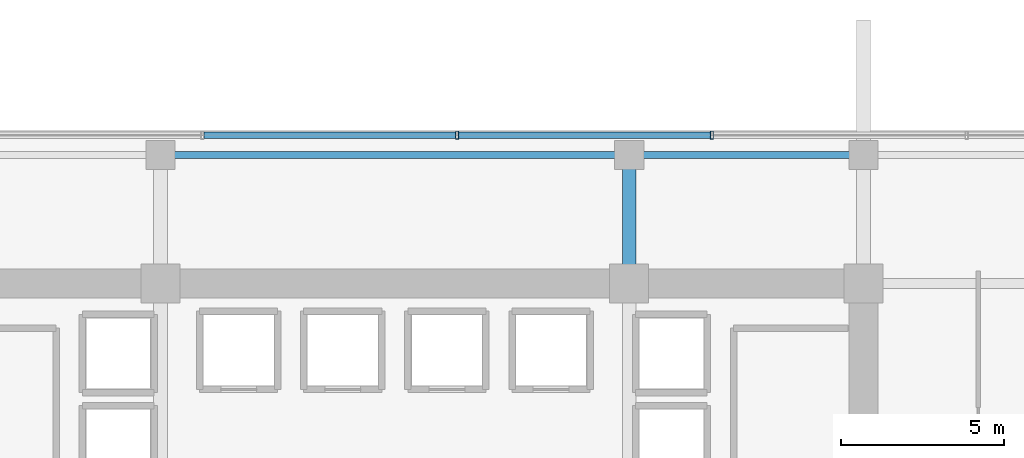
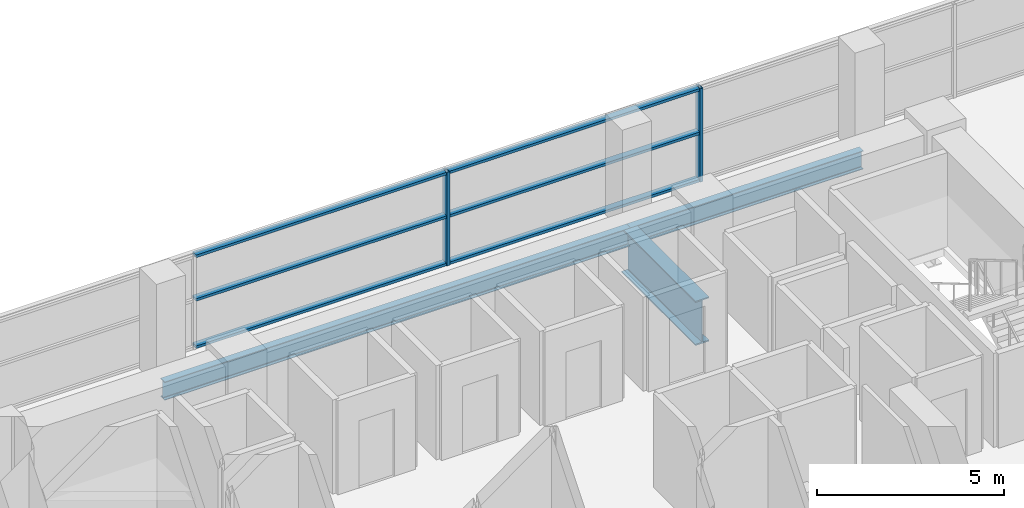
# One storey, part 19 of 32: 8 members, 3 beams, 1 element without a shape of its own.
"""IFC4 building model written with IfcOpenShell, lengths in metres."""

import ifcopenshell
import ifcopenshell.guid

model = None  # the IFC model being written
_history = None  # IfcOwnerHistory: only IFC2X3 demands one
_inside = {}  # id of a spatial element -> (the spatial element, [elements in it])
_under = {}  # id of a project, library or spatial element -> (it, [spatial elements below it])
_declared = {}  # id of a project -> (the project, [libraries it declares])
_typed = {}  # id of a type object -> (the type object, [elements of that type])
_made_of = {}  # id of a material, layer set ... -> (it, [elements and type objects made of it])


def new_model(schema):
    """Start an empty IFC model of exactly this schema.

    Asked for "IFC4X3", IfcOpenShell would pick the latest addendum, in which some entities
    have other attributes; the version numbers below select the first issue.
    IFC2X3 requires an IfcOwnerHistory on every rooted entity: one is made here for all.
    """
    global model, _history
    if schema == "IFC4X3":
        model = ifcopenshell.file(schema_version=(4, 3, 0, 0))
    else:
        model = ifcopenshell.file(schema=schema)
    _inside.clear()
    _under.clear()
    _declared.clear()
    _typed.clear()
    _made_of.clear()
    _history = None
    if model.schema == "IFC2X3":
        org = make("IfcOrganization", Name="unknown")
        user = make(
            "IfcPersonAndOrganization",
            ThePerson=make("IfcPerson", FamilyName="unknown"),
            TheOrganization=org,
        )
        app = make(
            "IfcApplication",
            ApplicationDeveloper=org,
            Version="unknown",
            ApplicationFullName="unknown",
            ApplicationIdentifier="unknown",
        )
        _history = make(
            "IfcOwnerHistory",
            OwningUser=user,
            OwningApplication=app,
            ChangeAction="ADDED",
            CreationDate=0,
        )
    return model


def make(cls, **values):
    """One entity of the class cls with the attributes given. An attribute that is None is left unset."""
    return model.create_entity(
        cls, **{name: value for name, value in values.items() if value is not None}
    )


def rooted(cls, **values):
    """An entity with a GlobalId (a new one), such as an element, a storey or a relation."""
    return make(cls, GlobalId=ifcopenshell.guid.new(), OwnerHistory=_history, **values)


def si_unit(unit_type, name, prefix=None):
    """IfcSIUnit, for example si_unit("LENGTHUNIT", "METRE", prefix="MILLI")."""
    return make("IfcSIUnit", UnitType=unit_type, Prefix=prefix, Name=name)


def assignment(units):
    """IfcUnitAssignment: the units of a project."""
    return None if units is None else make("IfcUnitAssignment", Units=units)


def point(xyz):
    """IfcCartesianPoint."""
    return None if xyz is None else make("IfcCartesianPoint", Coordinates=xyz)


def direction(xyz):
    """IfcDirection."""
    return None if xyz is None else make("IfcDirection", DirectionRatios=xyz)


def frame(location, z_axis=None, x_axis=None):
    """IfcAxis2Placement3D, a coordinate frame: its origin and axes. An axis left out is left unset."""
    return make(
        "IfcAxis2Placement3D",
        Location=point(location),
        Axis=direction(z_axis),
        RefDirection=direction(x_axis),
    )


def frame_2d(location, x_axis=None):
    """IfcAxis2Placement2D, a coordinate frame in the plane: its origin and x axis."""
    return make(
        "IfcAxis2Placement2D", Location=point(location), RefDirection=direction(x_axis)
    )


def origin():
    """The frame at (0, 0, 0) with its axes left unset."""
    return frame((0.0, 0.0, 0.0))


def origin_2d():
    """The frame at (0, 0) in the plane with its x axis left unset."""
    return frame_2d((0.0, 0.0))


def place(relative_to, where):
    """IfcLocalPlacement: puts the frame where relative to a parent placement (None: the world)."""
    return make(
        "IfcLocalPlacement", PlacementRelTo=relative_to, RelativePlacement=where
    )


def context(
    kind, dimensions, precision=None, world=None, true_north=None, identifier=None
):
    """IfcGeometricRepresentationContext, for example the 3D "Model" context."""
    return make(
        "IfcGeometricRepresentationContext",
        ContextIdentifier=identifier,
        ContextType=kind,
        CoordinateSpaceDimension=dimensions,
        Precision=precision,
        WorldCoordinateSystem=world,
        TrueNorth=true_north,
    )


def subcontext(parent, identifier, kind, view, scale=None):
    """IfcGeometricRepresentationSubContext, for example "Body" below "Model"."""
    return make(
        "IfcGeometricRepresentationSubContext",
        ContextIdentifier=identifier,
        ContextType=kind,
        ParentContext=parent,
        TargetScale=scale,
        TargetView=view,
    )


def project(units=None, contexts=None):
    """IfcProject with its units and contexts."""
    return rooted(
        "IfcProject",
        Name="project",
        RepresentationContexts=contexts,
        UnitsInContext=assignment(units),
    )


def spatial(cls, under=None, at=None, **own):
    """A site, building, storey or space (cls), placed at a placement, below another one or the project."""
    s = rooted(cls, ObjectPlacement=at, **own)
    if under is not None:
        _under.setdefault(under.id(), (under, []))[1].append(s)
    return s


def profile(cls, at=None, kind="AREA", **sizes):
    """A parametric profile (cls). Its sizes go by their IFC names, for example OverallWidth=200.0."""
    return make(cls, ProfileType=kind, Position=at, **sizes)


def hollow_rectangle(**sizes):
    """IfcRectangleHollowProfileDef."""
    return profile("IfcRectangleHollowProfileDef", **sizes)


def i_section(**sizes):
    """IfcIShapeProfileDef."""
    return profile("IfcIShapeProfileDef", **sizes)


def extrude(swept, where, along, depth):
    """IfcExtrudedAreaSolid: the profile swept, set in the frame where, extruded along a direction by depth."""
    return make(
        "IfcExtrudedAreaSolid",
        SweptArea=swept,
        Position=where,
        ExtrudedDirection=direction(along),
        Depth=depth,
    )


def shape(context_of_items, identifier, shape_type, items):
    """IfcShapeRepresentation: the items that make up one representation, for example the "Body"."""
    return make(
        "IfcShapeRepresentation",
        ContextOfItems=context_of_items,
        RepresentationIdentifier=identifier,
        RepresentationType=shape_type,
        Items=items,
    )


def source(mapping_origin, context_of_items, identifier, shape_type, items):
    """IfcRepresentationMap: a shape defined once, which mapped items show again and again."""
    return make(
        "IfcRepresentationMap",
        MappingOrigin=mapping_origin,
        MappedRepresentation=shape(context_of_items, identifier, shape_type, items),
    )


def transform(
    local_origin,
    x_axis=None,
    y_axis=None,
    z_axis=None,
    scale=None,
    scale2=None,
    scale3=None,
    uniform=True,
):
    """IfcCartesianTransformationOperator3D, or its non-uniform kind. x_axis, y_axis, z_axis: its Axis1, 2, 3."""
    if uniform:
        return make(
            "IfcCartesianTransformationOperator3D",
            Axis1=direction(x_axis),
            Axis2=direction(y_axis),
            LocalOrigin=point(local_origin),
            Scale=scale,
            Axis3=direction(z_axis),
        )
    return make(
        "IfcCartesianTransformationOperator3DnonUniform",
        Axis1=direction(x_axis),
        Axis2=direction(y_axis),
        LocalOrigin=point(local_origin),
        Scale=scale,
        Axis3=direction(z_axis),
        Scale2=scale2,
        Scale3=scale3,
    )


def mapped(mapping_source, mapping_target):
    """IfcMappedItem: shows the shape of a source again, moved by a transform."""
    return make(
        "IfcMappedItem", MappingSource=mapping_source, MappingTarget=mapping_target
    )


def material(Name=None, Category=None):
    """IfcMaterial."""
    return make("IfcMaterial", Name=Name, Category=Category)


def layer(
    of_material, thickness, ventilated=None, Name=None, Category=None, Priority=None
):
    """IfcMaterialLayer: one layer of a wall or slab, of a material (None: an air gap)."""
    return make(
        "IfcMaterialLayer",
        Material=of_material,
        LayerThickness=thickness,
        IsVentilated=ventilated,
        Name=Name,
        Category=Category,
        Priority=Priority,
    )


def layer_set(layers, Name=None):
    """IfcMaterialLayerSet."""
    return make("IfcMaterialLayerSet", MaterialLayers=layers, LayerSetName=Name)


def material_profile(
    of_material, cross_section, Name=None, Category=None, Priority=None
):
    """IfcMaterialProfile: a cross section and its material."""
    return make(
        "IfcMaterialProfile",
        Name=Name,
        Material=of_material,
        Profile=cross_section,
        Priority=Priority,
        Category=Category,
    )


def profile_set(profiles, Name=None, composite=None):
    """IfcMaterialProfileSet."""
    return make(
        "IfcMaterialProfileSet",
        Name=Name,
        MaterialProfiles=profiles,
        CompositeProfile=composite,
    )


def made_of(thing, what):
    """Note that an element or type object is made of a material, layer set ...; save() writes the relation."""
    if what is not None:
        _made_of.setdefault(what.id(), (what, []))[1].append(thing)
    return thing


def type_object(cls, material=None, **own):
    """A type object (cls), such as IfcWallType, which elements share."""
    return made_of(rooted(cls, **own), material)


def element(
    cls,
    number,
    at=None,
    inside=None,
    cuts=None,
    type_object=None,
    material=None,
    context=None,
    identifier="Body",
    shape_type=None,
    held_by="IfcProductDefinitionShape",
    body=None,
    shapes=None,
    **own,
):
    """One element of the class cls, such as IfcWall. Its Tag is "e" and its number.

    at: its placement. inside: the storey or other place that contains it. cuts: it is an
    opening in that element (IfcRelVoidsElement). A single representation is given by context,
    identifier, shape_type and body (its items); several are given by shapes. held_by: the class
    of the entity that holds the representations. save() writes the other relations.
    """
    e = rooted(cls, Tag="e%d" % number, ObjectPlacement=at, **own)
    if body is not None:
        shapes = [shape(context, identifier, shape_type, body)]
    if shapes is not None:
        e.Representation = make(held_by, Representations=shapes)
    if inside is not None:
        _inside.setdefault(inside.id(), (inside, []))[1].append(e)
    if cuts is not None:
        rooted(
            "IfcRelVoidsElement", RelatingBuildingElement=cuts, RelatedOpeningElement=e
        )
    if type_object is not None:
        _typed.setdefault(type_object.id(), (type_object, []))[1].append(e)
    return made_of(e, material)


def aggregate(whole, parts):
    """IfcRelAggregates: a whole, such as a stair, and the parts it consists of."""
    return rooted("IfcRelAggregates", RelatingObject=whole, RelatedObjects=parts)


def save(model, path):
    """Write the relations noted so far, then the file.

    IfcRelAggregates (storeys below a building ...), IfcRelContainedInSpatialStructure (elements
    in a storey), IfcRelDefinesByType, IfcRelAssociatesMaterial and IfcRelDeclares: one each for
    every whole, place, type object, material and project.
    """
    for whole, parts in _under.values():
        aggregate(whole, parts)
    for where, things in _inside.values():
        rooted(
            "IfcRelContainedInSpatialStructure",
            RelatedElements=things,
            RelatingStructure=where,
        )
    for kind, things in _typed.values():
        rooted("IfcRelDefinesByType", RelatedObjects=things, RelatingType=kind)
    for what, things in _made_of.values():
        rooted("IfcRelAssociatesMaterial", RelatedObjects=things, RelatingMaterial=what)
    for by, libraries in _declared.values():
        rooted("IfcRelDeclares", RelatingContext=by, RelatedDefinitions=libraries)
    model.write(path)


model = new_model("IFC4")

# Units and contexts
model_context = context("Model", 3, precision=1e-05, world=origin(), true_north=direction((0.0, 1.0)))
body_context = subcontext(model_context, "Body", "Model", "MODEL_VIEW")
ifc_project = project(units=[si_unit("LENGTHUNIT", "METRE"), si_unit("AREAUNIT", "SQUARE_METRE"), si_unit("VOLUMEUNIT", "CUBIC_METRE"), si_unit("PLANEANGLEUNIT", "RADIAN"), si_unit("MASSUNIT", "GRAM", prefix="KILO")], contexts=[model_context])

# Site, building, storey
site_placement = place(None, origin())
site = spatial("IfcSite", under=ifc_project, at=site_placement, CompositionType="ELEMENT")
building_placement = place(site_placement, origin())
building = spatial("IfcBuilding", under=site, at=building_placement, Name="Zarnakvel Exchange Tower", CompositionType="ELEMENT")
storey_placement = place(building_placement, frame((0.0, 0.0, 27.39990234375)))
storey = spatial("IfcBuildingStorey", under=building, at=storey_placement, Name="L06", CompositionType="ELEMENT", Elevation=27.39990234375)

# Beams
ifc_material_1 = material(Name="Steel S355", Category="steel")
ifc_material_profile_1 = material_profile(ifc_material_1, i_section(OverallWidth=0.219970703125, OverallDepth=0.60009765625, WebThickness=0.011962890625, FlangeThickness=0.01904296875, FilletRadius=0.02392578125, at=origin_2d()))
ifc_profile_set_1 = profile_set([ifc_material_profile_1], Name="Steel S355")
beam_type_1 = type_object("IfcBeamType", Name="SP-01", PredefinedType="SPANDREL", material=ifc_profile_set_1)
beam_1_placement = place(storey_placement, frame((-7.199951171875, 17.449951171875, -0.5498046875), z_axis=(1.0, 0.0, 0.0), x_axis=(0.0, 1.0, 0.0)))
element("IfcBeam", 1, at=beam_1_placement, inside=storey, type_object=beam_type_1, Name="L06 Tower E-W Frame Beam", PredefinedType="SPANDREL", context=body_context, shape_type="SweptSolid", body=[
    extrude(i_section(OverallWidth=0.219970703125, OverallDepth=0.60009765625, WebThickness=0.011962890625, FlangeThickness=0.01904296875, FilletRadius=0.02392578125, at=origin_2d()), origin(), (0.0, 0.0, 1.0), 14.39990234375),
])
beam_2_placement = place(storey_placement, frame((7.199951171875, 17.449951171875, -0.5498046875), z_axis=(1.0, 0.0, 0.0), x_axis=(0.0, 1.0, 0.0)))
element("IfcBeam", 2, at=beam_2_placement, inside=storey, type_object=beam_type_1, Name="L06 Tower E-W Frame Beam", PredefinedType="SPANDREL", context=body_context, shape_type="SweptSolid", body=[
    extrude(i_section(OverallWidth=0.219970703125, OverallDepth=0.60009765625, WebThickness=0.011962890625, FlangeThickness=0.01904296875, FilletRadius=0.02392578125, at=origin_2d()), origin(), (0.0, 0.0, 1.0), 7.199951171875),
])
ifc_material_2 = material(Name="Steel S460", Category="steel")
ifc_material_profile_2 = material_profile(ifc_material_2, i_section(OverallWidth=0.419921875, OverallDepth=1.449951171875, WebThickness=0.02392578125, FlangeThickness=0.0400390625, FilletRadius=0.030029296875, at=origin_2d()))
ifc_profile_set_2 = profile_set([ifc_material_profile_2], Name="Steel S460")
beam_type_2 = type_object("IfcBeamType", Name="TG-01", PredefinedType="BEAM", material=ifc_profile_set_2)
beam_3_placement = place(storey_placement, frame((7.199951171875, 13.5, -0.974853515625), z_axis=(0.0, 1.0, 0.0), x_axis=(-1.0, 0.0, 0.0)))
element("IfcBeam", 3, at=beam_3_placement, inside=storey, type_object=beam_type_2, Name="L06 North Cantilever Transfer TN-8", PredefinedType="BEAM", context=body_context, shape_type="SweptSolid", body=[
    extrude(i_section(OverallWidth=0.419921875, OverallDepth=1.449951171875, WebThickness=0.02392578125, FlangeThickness=0.0400390625, FilletRadius=0.030029296875, at=origin_2d()), origin(), (0.0, 0.0, 1.0), 3.949951171875),
])

# Curtain wall, members
ifc_material_3 = material(Name="Architectural Bronze Anodised Aluminium", Category="aluminium")
ifc_layer = layer(ifc_material_3, 0.239990234375)
ifc_layer_set = layer_set([ifc_layer], Name="Architectural Bronze Anodised Aluminium")
curtain_wall_type = type_object("IfcCurtainWallType", Name="CW-02", PredefinedType="NOTDEFINED", material=ifc_layer_set)
curtain_wall_placement = place(storey_placement, origin())
curtain_wall = element("IfcCurtainWall", 4, at=curtain_wall_placement, inside=storey, type_object=curtain_wall_type, Name="L06 Curtain Wall CW-L06-N1 (CW-02)", PredefinedType="NOTDEFINED")
ifc_material_profile_3 = material_profile(ifc_material_3, hollow_rectangle(XDim=0.239990234375, YDim=0.090087890625, WallThickness=0.006103515625, at=origin_2d()))
ifc_profile_set_3 = profile_set([ifc_material_profile_3], Name="Architectural Bronze Anodised Aluminium")
member_type_1 = type_object("IfcMemberType", Name="CWM-02", PredefinedType="MULLION", material=ifc_profile_set_3)
shared_shape_1 = source(origin(), body_context, "Body", "SweptSolid", [
    extrude(hollow_rectangle(XDim=0.239990234375, YDim=0.090087890625, WallThickness=0.006103515625, at=origin_2d()), origin(), (0.0, 0.0, 1.0), 3.05517578125),
])
member_1_placement = place(storey_placement, frame((1.914306640625, 18.06005859375, 0.0), z_axis=(0.0, 0.0, 1.0), x_axis=(0.0, 1.0, 0.0)))
member_1 = element("IfcMember", 5, at=member_1_placement, type_object=member_type_1, Name="CW-02 mullion 5", PredefinedType="MULLION", context=body_context, shape_type="MappedRepresentation", body=[
    mapped(shared_shape_1, transform((0.0, 0.0, 0.0), x_axis=(1.0, 0.0, 0.0), y_axis=(0.0, 1.0, 0.0), z_axis=(0.0, 0.0, 1.0), scale=1.0)),
])
member_2_placement = place(storey_placement, frame((9.742919921875, 18.06005859375, 0.0), z_axis=(0.0, 0.0, 1.0), x_axis=(0.0, 1.0, 0.0)))
member_2 = element("IfcMember", 6, at=member_2_placement, type_object=member_type_1, Name="CW-02 mullion 6", PredefinedType="MULLION", context=body_context, shape_type="MappedRepresentation", body=[
    mapped(shared_shape_1, transform((0.0, 0.0, 0.0), x_axis=(1.0, 0.0, 0.0), y_axis=(0.0, 1.0, 0.0), z_axis=(0.0, 0.0, 1.0), scale=1.0)),
])
ifc_material_profile_4 = material_profile(ifc_material_3, hollow_rectangle(XDim=0.199951171875, YDim=0.0849609375, WallThickness=0.0048828125, at=origin_2d()))
ifc_profile_set_4 = profile_set([ifc_material_profile_4], Name="Architectural Bronze Anodised Aluminium")
member_type_2 = type_object("IfcMemberType", Name="CWT-02", PredefinedType="USERDEFINED", material=ifc_profile_set_4)
shared_shape_2 = source(origin(), body_context, "Body", "SweptSolid", [
    extrude(hollow_rectangle(XDim=0.199951171875, YDim=0.0849609375, WallThickness=0.0048828125, at=origin_2d()), origin(), (0.0, 0.0, 1.0), 7.738525390625),
])
member_3_placement = place(storey_placement, frame((1.959228515625, 18.06005859375, 0.04248046875), z_axis=(1.0, 0.0, 0.0), x_axis=(0.0, 1.0, 0.0)))
member_3 = element("IfcMember", 7, at=member_3_placement, type_object=member_type_2, Name="CW-02 transom 5.1", ObjectType="TRANSOM", PredefinedType="USERDEFINED", context=body_context, shape_type="MappedRepresentation", body=[
    mapped(shared_shape_2, transform((0.0, 0.0, 0.0), x_axis=(1.0, 0.0, 0.0), y_axis=(0.0, 1.0, 0.0), z_axis=(0.0, 0.0, 1.0), scale=1.0)),
])
member_4_placement = place(storey_placement, frame((1.959228515625, 18.06005859375, 1.588623046875), z_axis=(1.0, 0.0, 0.0), x_axis=(0.0, 1.0, 0.0)))
member_4 = element("IfcMember", 8, at=member_4_placement, type_object=member_type_2, Name="CW-02 transom 5.2", ObjectType="TRANSOM", PredefinedType="USERDEFINED", context=body_context, shape_type="MappedRepresentation", body=[
    mapped(shared_shape_2, transform((0.0, 0.0, 0.0), x_axis=(1.0, 0.0, 0.0), y_axis=(0.0, 1.0, 0.0), z_axis=(0.0, 0.0, 1.0), scale=1.0)),
])
member_5_placement = place(storey_placement, frame((1.959228515625, 18.06005859375, 3.0126953125), z_axis=(1.0, 0.0, 0.0), x_axis=(0.0, 1.0, 0.0)))
member_5 = element("IfcMember", 9, at=member_5_placement, type_object=member_type_2, Name="CW-02 transom 5.3", ObjectType="TRANSOM", PredefinedType="USERDEFINED", context=body_context, shape_type="MappedRepresentation", body=[
    mapped(shared_shape_2, transform((0.0, 0.0, 0.0), x_axis=(1.0, 0.0, 0.0), y_axis=(0.0, 1.0, 0.0), z_axis=(0.0, 0.0, 1.0), scale=1.0)),
])
shared_shape_3 = source(origin(), body_context, "Body", "SweptSolid", [
    extrude(hollow_rectangle(XDim=0.199951171875, YDim=0.0849609375, WallThickness=0.0048828125, at=origin_2d()), origin(), (0.0, 0.0, 1.0), 7.73876953125),
])
member_6_placement = place(storey_placement, frame((-5.869384765625, 18.06005859375, 0.04248046875), z_axis=(1.0, 0.0, 0.0), x_axis=(0.0, 1.0, 0.0)))
member_6 = element("IfcMember", 10, at=member_6_placement, type_object=member_type_2, Name="CW-02 transom 4.1", ObjectType="TRANSOM", PredefinedType="USERDEFINED", context=body_context, shape_type="MappedRepresentation", body=[
    mapped(shared_shape_3, transform((0.0, 0.0, 0.0), x_axis=(1.0, 0.0, 0.0), y_axis=(0.0, 1.0, 0.0), z_axis=(0.0, 0.0, 1.0), scale=1.0)),
])
member_7_placement = place(storey_placement, frame((-5.869384765625, 18.06005859375, 1.588623046875), z_axis=(1.0, 0.0, 0.0), x_axis=(0.0, 1.0, 0.0)))
member_7 = element("IfcMember", 11, at=member_7_placement, type_object=member_type_2, Name="CW-02 transom 4.2", ObjectType="TRANSOM", PredefinedType="USERDEFINED", context=body_context, shape_type="MappedRepresentation", body=[
    mapped(shared_shape_3, transform((0.0, 0.0, 0.0), x_axis=(1.0, 0.0, 0.0), y_axis=(0.0, 1.0, 0.0), z_axis=(0.0, 0.0, 1.0), scale=1.0)),
])
member_8_placement = place(storey_placement, frame((-5.869384765625, 18.06005859375, 3.0126953125), z_axis=(1.0, 0.0, 0.0), x_axis=(0.0, 1.0, 0.0)))
member_8 = element("IfcMember", 12, at=member_8_placement, type_object=member_type_2, Name="CW-02 transom 4.3", ObjectType="TRANSOM", PredefinedType="USERDEFINED", context=body_context, shape_type="MappedRepresentation", body=[
    mapped(shared_shape_3, transform((0.0, 0.0, 0.0), x_axis=(1.0, 0.0, 0.0), y_axis=(0.0, 1.0, 0.0), z_axis=(0.0, 0.0, 1.0), scale=1.0)),
])
aggregate(curtain_wall, [member_1, member_2, member_6, member_7, member_8, member_3, member_4, member_5])

save(model, "model.ifc")
